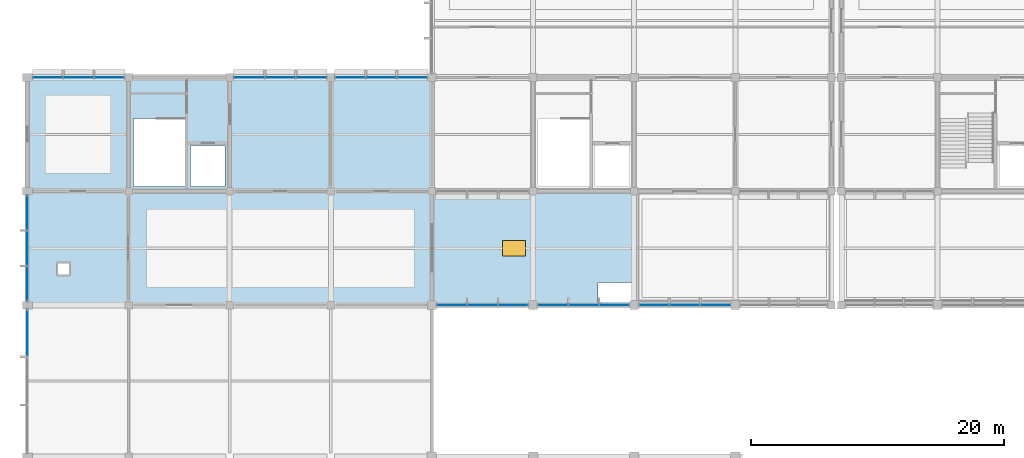
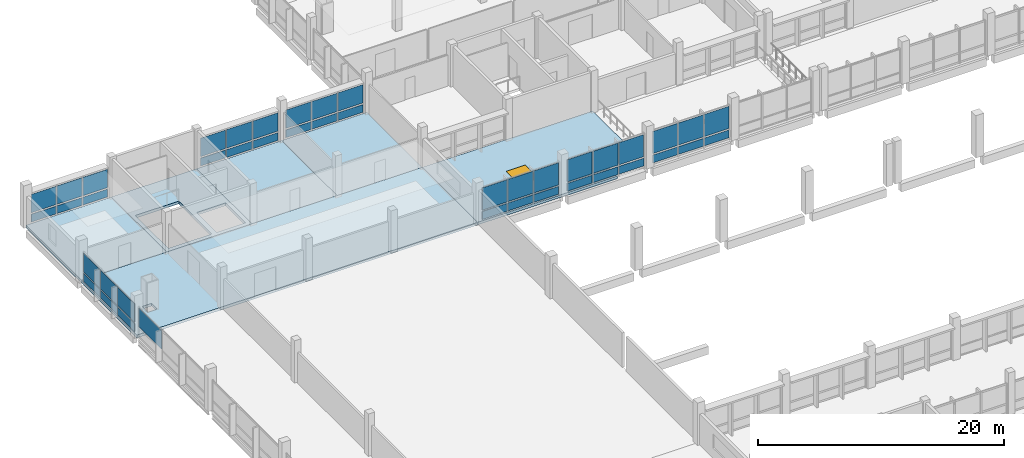
# One storey, part 47 of 70: 43 plates, 6 slabs, 1 window, 1 opening, 8 elements without a shape of their own.
"""IFC4 building model written with IfcOpenShell, lengths in metres."""

from ifc_helpers import new_model, si_unit, direction, frame, origin, origin_2d, place, context, subcontext, project, spatial, polyline, rectangle, outline, extrude, material, layer, layer_set, type_object, element, fill, aggregate, save


model = new_model("IFC4")

# Units and contexts
model_context = context("Model", 3, precision=1e-05, world=origin(), true_north=direction((0.0, 1.0)))
body_context = subcontext(model_context, "Body", "Model", "MODEL_VIEW")
ifc_project = project(units=[si_unit("LENGTHUNIT", "METRE"), si_unit("AREAUNIT", "SQUARE_METRE"), si_unit("VOLUMEUNIT", "CUBIC_METRE"), si_unit("PLANEANGLEUNIT", "RADIAN"), si_unit("MASSUNIT", "GRAM", prefix="KILO"), si_unit("THERMODYNAMICTEMPERATUREUNIT", "KELVIN"), si_unit("POWERUNIT", "WATT")], contexts=[model_context])

# Site, building, storey
site_placement = place(None, origin())
site = spatial("IfcSite", under=ifc_project, at=site_placement, CompositionType="ELEMENT")
building_placement = place(site_placement, origin())
building = spatial("IfcBuilding", under=site, at=building_placement, Name="Kronsvod Quay Wholesale Market", CompositionType="ELEMENT")
storey_placement = place(building_placement, frame((0.0, 0.0, 9.0)))
storey = spatial("IfcBuildingStorey", under=building, at=storey_placement, Name="L02", CompositionType="ELEMENT", Elevation=9.0)

# Curtain wall, plates
ifc_material_1 = material(Name="Thermally broken aluminium and triple low-E glazing", Category="aluminium")
curtain_wall_type_1 = type_object("IfcCurtainWallType", Name="CW_Clerestory80x32", PredefinedType="NOTDEFINED", material=ifc_material_1)
curtain_wall_1_placement = place(storey_placement, origin())
curtain_wall_1 = element("IfcCurtainWall", 1, at=curtain_wall_1_placement, inside=storey, type_object=curtain_wall_type_1, Name="CWGX-L02-320-900", PredefinedType="NOTDEFINED")
ifc_material_2 = material(Name="Insulated aluminium spandrel panel", Category="aluminium")
ifc_layer_1 = layer(ifc_material_2, 0.048095703125)
ifc_layer_set_1 = layer_set([ifc_layer_1], Name="Insulated aluminium spandrel panel")
plate_type_1 = type_object("IfcPlateType", Name="CWPanel_SP2324x775", PredefinedType="CURTAIN_PANEL", material=ifc_layer_set_1)
plate_1_placement = place(storey_placement, frame((38.41796875, 90.0, 0.150146484375), z_axis=(0.0, 0.0, 1.0), x_axis=(-1.0, 0.0, 0.0)))
plate_1 = element("IfcPlate", 2, at=plate_1_placement, type_object=plate_type_1, Name="CWGX-L02-320-900-PS1", PredefinedType="CURTAIN_PANEL", context=body_context, shape_type="SweptSolid", body=[
    extrude(rectangle(XDim=2.323974609375, YDim=0.048095703125, at=origin_2d()), origin(), (0.0, 0.0, 1.0), 0.77490234375),
])
plate_2_placement = place(storey_placement, frame((33.58203125, 90.0, 0.150146484375), z_axis=(0.0, 0.0, 1.0), x_axis=(-1.0, 0.0, 0.0)))
plate_2 = element("IfcPlate", 3, at=plate_2_placement, type_object=plate_type_1, Name="CWGX-L02-320-900-PS3", PredefinedType="CURTAIN_PANEL", context=body_context, shape_type="SweptSolid", body=[
    extrude(rectangle(XDim=2.323974609375, YDim=0.048095703125, at=origin_2d()), origin(), (0.0, 0.0, 1.0), 0.77490234375),
])

curtain_wall_2_placement = place(storey_placement, origin())
curtain_wall_2 = element("IfcCurtainWall", 4, at=curtain_wall_2_placement, inside=storey, type_object=curtain_wall_type_1, Name="CWGX-L02-400-900", PredefinedType="NOTDEFINED")
plate_3_placement = place(storey_placement, frame((46.41796875, 90.0, 0.150146484375), z_axis=(0.0, 0.0, 1.0), x_axis=(-1.0, 0.0, 0.0)))
plate_3 = element("IfcPlate", 5, at=plate_3_placement, type_object=plate_type_1, Name="CWGX-L02-400-900-PS1", PredefinedType="CURTAIN_PANEL", context=body_context, shape_type="SweptSolid", body=[
    extrude(rectangle(XDim=2.323974609375, YDim=0.048095703125, at=origin_2d()), origin(), (0.0, 0.0, 1.0), 0.77490234375),
])
plate_4_placement = place(storey_placement, frame((41.58203125, 90.0, 0.150146484375), z_axis=(0.0, 0.0, 1.0), x_axis=(-1.0, 0.0, 0.0)))
plate_4 = element("IfcPlate", 6, at=plate_4_placement, type_object=plate_type_1, Name="CWGX-L02-400-900-PS3", PredefinedType="CURTAIN_PANEL", context=body_context, shape_type="SweptSolid", body=[
    extrude(rectangle(XDim=2.323974609375, YDim=0.048095703125, at=origin_2d()), origin(), (0.0, 0.0, 1.0), 0.77490234375),
])

curtain_wall_3_placement = place(storey_placement, origin())
curtain_wall_3 = element("IfcCurtainWall", 7, at=curtain_wall_3_placement, inside=storey, type_object=curtain_wall_type_1, Name="CWGX-L02-480-900", PredefinedType="NOTDEFINED")
plate_5_placement = place(storey_placement, frame((54.41796875, 90.0, 0.150146484375), z_axis=(0.0, 0.0, 1.0), x_axis=(-1.0, 0.0, 0.0)))
plate_5 = element("IfcPlate", 8, at=plate_5_placement, type_object=plate_type_1, Name="CWGX-L02-480-900-PS1", PredefinedType="CURTAIN_PANEL", context=body_context, shape_type="SweptSolid", body=[
    extrude(rectangle(XDim=2.323974609375, YDim=0.048095703125, at=origin_2d()), origin(), (0.0, 0.0, 1.0), 0.77490234375),
])
plate_6_placement = place(storey_placement, frame((49.58203125, 90.0, 0.150146484375), z_axis=(0.0, 0.0, 1.0), x_axis=(-1.0, 0.0, 0.0)))
plate_6 = element("IfcPlate", 9, at=plate_6_placement, type_object=plate_type_1, Name="CWGX-L02-480-900-PS3", PredefinedType="CURTAIN_PANEL", context=body_context, shape_type="SweptSolid", body=[
    extrude(rectangle(XDim=2.323974609375, YDim=0.048095703125, at=origin_2d()), origin(), (0.0, 0.0, 1.0), 0.77490234375),
])

ifc_material_3 = material(Name="Thermally broken aluminium and triple low-E glazing", Category="aluminium")
curtain_wall_type_2 = type_object("IfcCurtainWallType", Name="CW_Forecourt80x33", PredefinedType="NOTDEFINED", material=ifc_material_3)
curtain_wall_4_placement = place(storey_placement, origin())
curtain_wall_4 = element("IfcCurtainWall", 10, at=curtain_wall_4_placement, inside=storey, type_object=curtain_wall_type_2, Name="CWGX-L02-0-1080", PredefinedType="NOTDEFINED")
plate_7_placement = place(storey_placement, frame((6.468017578125, 108.0, 0.150146484375), z_axis=(0.0, 0.0, 1.0), x_axis=(-1.0, 0.0, 0.0)))
plate_7 = element("IfcPlate", 11, at=plate_7_placement, type_object=plate_type_1, Name="CWGX-L02-0-1080-PS1", PredefinedType="CURTAIN_PANEL", context=body_context, shape_type="SweptSolid", body=[
    extrude(rectangle(XDim=2.323974609375, YDim=0.048095703125, at=origin_2d()), origin(), (0.0, 0.0, 1.0), 0.77490234375),
])
plate_8_placement = place(storey_placement, frame((1.632080078125, 108.0, 0.150146484375), z_axis=(0.0, 0.0, 1.0), x_axis=(-1.0, 0.0, 0.0)))
plate_8 = element("IfcPlate", 12, at=plate_8_placement, type_object=plate_type_1, Name="CWGX-L02-0-1080-PS3", PredefinedType="CURTAIN_PANEL", context=body_context, shape_type="SweptSolid", body=[
    extrude(rectangle(XDim=2.323974609375, YDim=0.048095703125, at=origin_2d()), origin(), (0.0, 0.0, 1.0), 0.77490234375),
])

curtain_wall_5_placement = place(storey_placement, origin())
curtain_wall_5 = element("IfcCurtainWall", 13, at=curtain_wall_5_placement, inside=storey, type_object=curtain_wall_type_2, Name="CWGX-L02-240-1080", PredefinedType="NOTDEFINED")
ifc_material_4 = material(Name="Insulated aluminium spandrel panel", Category="aluminium")
ifc_layer_2 = layer(ifc_material_4, 0.048095703125)
ifc_layer_set_2 = layer_set([ifc_layer_2], Name="Insulated aluminium spandrel panel")
plate_type_2 = type_object("IfcPlateType", Name="CWPanel_SP2349x775", PredefinedType="CURTAIN_PANEL", material=ifc_layer_set_2)
plate_9_placement = place(storey_placement, frame((30.430419921875, 108.0, 0.150146484375), z_axis=(0.0, 0.0, 1.0), x_axis=(-1.0, 0.0, 0.0)))
plate_9 = element("IfcPlate", 14, at=plate_9_placement, type_object=plate_type_2, Name="CWGX-L02-240-1080-PS1", PredefinedType="CURTAIN_PANEL", context=body_context, shape_type="SweptSolid", body=[
    extrude(rectangle(XDim=2.34912109375, YDim=0.048095703125, at=origin_2d()), origin(), (0.0, 0.0, 1.0), 0.77490234375),
])
plate_10_placement = place(storey_placement, frame((25.544677734375, 108.0, 0.150146484375), z_axis=(0.0, 0.0, 1.0), x_axis=(-1.0, 0.0, 0.0)))
plate_10 = element("IfcPlate", 15, at=plate_10_placement, type_object=plate_type_2, Name="CWGX-L02-240-1080-PS3", PredefinedType="CURTAIN_PANEL", context=body_context, shape_type="SweptSolid", body=[
    extrude(rectangle(XDim=2.34912109375, YDim=0.048095703125, at=origin_2d()), origin(), (0.0, 0.0, 1.0), 0.77490234375),
])

curtain_wall_6_placement = place(storey_placement, origin())
curtain_wall_6 = element("IfcCurtainWall", 16, at=curtain_wall_6_placement, inside=storey, type_object=curtain_wall_type_2, Name="CWGX-L02-160-1080", PredefinedType="NOTDEFINED")
ifc_material_5 = material(Name="Insulated aluminium spandrel panel", Category="aluminium")
ifc_layer_3 = layer(ifc_material_5, 0.048095703125)
ifc_layer_set_3 = layer_set([ifc_layer_3], Name="Insulated aluminium spandrel panel")
plate_type_3 = type_object("IfcPlateType", Name="CWPanel_SP2357x775", PredefinedType="CURTAIN_PANEL", material=ifc_layer_set_3)
plate_11_placement = place(storey_placement, frame((22.451171875, 108.0, 0.150146484375), z_axis=(0.0, 0.0, 1.0), x_axis=(-1.0, 0.0, 0.0)))
plate_11 = element("IfcPlate", 17, at=plate_11_placement, type_object=plate_type_3, Name="CWGX-L02-160-1080-PS1", PredefinedType="CURTAIN_PANEL", context=body_context, shape_type="SweptSolid", body=[
    extrude(rectangle(XDim=2.35693359375, YDim=0.048095703125, at=origin_2d()), origin(), (0.0, 0.0, 1.0), 0.77490234375),
])
ifc_material_6 = material(Name="Insulated aluminium spandrel panel", Category="aluminium")
ifc_layer_4 = layer(ifc_material_6, 0.048095703125)
ifc_layer_set_4 = layer_set([ifc_layer_4], Name="Insulated aluminium spandrel panel")
plate_type_4 = type_object("IfcPlateType", Name="CWPanel_SP2358x775", PredefinedType="CURTAIN_PANEL", material=ifc_layer_set_4)
plate_12_placement = place(storey_placement, frame((17.548828125, 108.0, 0.150146484375), z_axis=(0.0, 0.0, 1.0), x_axis=(-1.0, 0.0, 0.0)))
plate_12 = element("IfcPlate", 18, at=plate_12_placement, type_object=plate_type_4, Name="CWGX-L02-160-1080-PS3", PredefinedType="CURTAIN_PANEL", context=body_context, shape_type="SweptSolid", body=[
    extrude(rectangle(XDim=2.35791015625, YDim=0.048095703125, at=origin_2d()), origin(), (0.0, 0.0, 1.0), 0.77490234375),
])

# Plate
ifc_material_7 = material(Name="Insulated aluminium spandrel panel", Category="aluminium")
ifc_layer_5 = layer(ifc_material_7, 0.048095703125)
ifc_layer_set_5 = layer_set([ifc_layer_5], Name="Insulated aluminium spandrel panel")
plate_type_5 = type_object("IfcPlateType", Name="CWPanel_SP2362x775", PredefinedType="CURTAIN_PANEL", material=ifc_layer_set_5)
plate_13_placement = place(storey_placement, frame((36.0, 90.0, 0.150146484375), z_axis=(0.0, 0.0, 1.0), x_axis=(-1.0, 0.0, 0.0)))
plate_13 = element("IfcPlate", 19, at=plate_13_placement, type_object=plate_type_5, Name="CWGX-L02-320-900-PS2", PredefinedType="CURTAIN_PANEL", context=body_context, shape_type="SweptSolid", body=[
    extrude(rectangle(XDim=2.362060546875, YDim=0.048095703125, at=origin_2d()), origin(), (0.0, 0.0, 1.0), 0.77490234375),
])

plate_14_placement = place(storey_placement, frame((44.0, 90.0, 0.150146484375), z_axis=(0.0, 0.0, 1.0), x_axis=(-1.0, 0.0, 0.0)))
plate_14 = element("IfcPlate", 20, at=plate_14_placement, type_object=plate_type_5, Name="CWGX-L02-400-900-PS2", PredefinedType="CURTAIN_PANEL", context=body_context, shape_type="SweptSolid", body=[
    extrude(rectangle(XDim=2.362060546875, YDim=0.048095703125, at=origin_2d()), origin(), (0.0, 0.0, 1.0), 0.77490234375),
])

plate_15_placement = place(storey_placement, frame((52.0, 90.0, 0.150146484375), z_axis=(0.0, 0.0, 1.0), x_axis=(-1.0, 0.0, 0.0)))
plate_15 = element("IfcPlate", 21, at=plate_15_placement, type_object=plate_type_5, Name="CWGX-L02-480-900-PS2", PredefinedType="CURTAIN_PANEL", context=body_context, shape_type="SweptSolid", body=[
    extrude(rectangle(XDim=2.362060546875, YDim=0.048095703125, at=origin_2d()), origin(), (0.0, 0.0, 1.0), 0.77490234375),
])

plate_16_placement = place(storey_placement, frame((4.050048828125, 108.0, 0.150146484375), z_axis=(0.0, 0.0, 1.0), x_axis=(-1.0, 0.0, 0.0)))
plate_16 = element("IfcPlate", 22, at=plate_16_placement, type_object=plate_type_5, Name="CWGX-L02-0-1080-PS2", PredefinedType="CURTAIN_PANEL", context=body_context, shape_type="SweptSolid", body=[
    extrude(rectangle(XDim=2.362060546875, YDim=0.048095703125, at=origin_2d()), origin(), (0.0, 0.0, 1.0), 0.77490234375),
])

ifc_material_8 = material(Name="Insulated aluminium spandrel panel", Category="aluminium")
ifc_layer_6 = layer(ifc_material_8, 0.048095703125)
ifc_layer_set_6 = layer_set([ifc_layer_6], Name="Insulated aluminium spandrel panel")
plate_type_6 = type_object("IfcPlateType", Name="CWPanel_SP2387x775", PredefinedType="CURTAIN_PANEL", material=ifc_layer_set_6)
plate_17_placement = place(storey_placement, frame((27.987548828125, 108.0, 0.150146484375), z_axis=(0.0, 0.0, 1.0), x_axis=(-1.0, 0.0, 0.0)))
plate_17 = element("IfcPlate", 23, at=plate_17_placement, type_object=plate_type_6, Name="CWGX-L02-240-1080-PS2", PredefinedType="CURTAIN_PANEL", context=body_context, shape_type="SweptSolid", body=[
    extrude(rectangle(XDim=2.386962890625, YDim=0.048095703125, at=origin_2d()), origin(), (0.0, 0.0, 1.0), 0.77490234375),
])

ifc_material_9 = material(Name="Insulated aluminium spandrel panel", Category="aluminium")
ifc_layer_7 = layer(ifc_material_9, 0.048095703125)
ifc_layer_set_7 = layer_set([ifc_layer_7], Name="Insulated aluminium spandrel panel")
plate_type_7 = type_object("IfcPlateType", Name="CWPanel_SP2395x775", PredefinedType="CURTAIN_PANEL", material=ifc_layer_set_7)
plate_18_placement = place(storey_placement, frame((20.0, 108.0, 0.150146484375), z_axis=(0.0, 0.0, 1.0), x_axis=(-1.0, 0.0, 0.0)))
plate_18 = element("IfcPlate", 24, at=plate_18_placement, type_object=plate_type_7, Name="CWGX-L02-160-1080-PS2", PredefinedType="CURTAIN_PANEL", context=body_context, shape_type="SweptSolid", body=[
    extrude(rectangle(XDim=2.39501953125, YDim=0.048095703125, at=origin_2d()), origin(), (0.0, 0.0, 1.0), 0.77490234375),
])

# Curtain wall, plates
ifc_material_10 = material(Name="Thermally broken aluminium and triple low-E glazing", Category="aluminium")
curtain_wall_type_3 = type_object("IfcCurtainWallType", Name="CW_Wing90x33", PredefinedType="NOTDEFINED", material=ifc_material_10)
curtain_wall_7_placement = place(storey_placement, origin())
curtain_wall_7 = element("IfcCurtainWall", 25, at=curtain_wall_7_placement, inside=storey, type_object=curtain_wall_type_3, Name="CWGY-L02-0-900", PredefinedType="NOTDEFINED")
ifc_material_11 = material(Name="Insulated aluminium spandrel panel", Category="aluminium")
ifc_layer_8 = layer(ifc_material_11, 0.048095703125)
ifc_layer_set_8 = layer_set([ifc_layer_8], Name="Insulated aluminium spandrel panel")
plate_type_8 = type_object("IfcPlateType", Name="CWPanel_SP2691x775", PredefinedType="CURTAIN_PANEL", material=ifc_layer_set_8)
plate_19_placement = place(storey_placement, frame((0.0, 97.28466796875, 0.150146484375), z_axis=(0.0, 0.0, 1.0), x_axis=(0.0, -1.0, 0.0)))
plate_19 = element("IfcPlate", 26, at=plate_19_placement, type_object=plate_type_8, Name="CWGY-L02-0-900-PS1", PredefinedType="CURTAIN_PANEL", context=body_context, shape_type="SweptSolid", body=[
    extrude(rectangle(XDim=2.69091796875, YDim=0.048095703125, at=origin_2d()), origin(), (0.0, 0.0, 1.0), 0.77490234375),
])
plate_20_placement = place(storey_placement, frame((0.0, 91.71533203125, 0.150146484375), z_axis=(0.0, 0.0, 1.0), x_axis=(0.0, -1.0, 0.0)))
plate_20 = element("IfcPlate", 27, at=plate_20_placement, type_object=plate_type_8, Name="CWGY-L02-0-900-PS3", PredefinedType="CURTAIN_PANEL", context=body_context, shape_type="SweptSolid", body=[
    extrude(rectangle(XDim=2.69091796875, YDim=0.048095703125, at=origin_2d()), origin(), (0.0, 0.0, 1.0), 0.77490234375),
])
ifc_material_12 = material(Name="Insulated aluminium spandrel panel", Category="aluminium")
ifc_layer_9 = layer(ifc_material_12, 0.048095703125)
ifc_layer_set_9 = layer_set([ifc_layer_9], Name="Insulated aluminium spandrel panel")
plate_type_9 = type_object("IfcPlateType", Name="CWPanel_SP2728x775", PredefinedType="CURTAIN_PANEL", material=ifc_layer_set_9)
plate_21_placement = place(storey_placement, frame((0.0, 94.5, 0.150146484375), z_axis=(0.0, 0.0, 1.0), x_axis=(0.0, -1.0, 0.0)))
plate_21 = element("IfcPlate", 28, at=plate_21_placement, type_object=plate_type_9, Name="CWGY-L02-0-900-PS2", PredefinedType="CURTAIN_PANEL", context=body_context, shape_type="SweptSolid", body=[
    extrude(rectangle(XDim=2.72802734375, YDim=0.048095703125, at=origin_2d()), origin(), (0.0, 0.0, 1.0), 0.77490234375),
])

# Plate
ifc_material_13 = material(Name="Triple low-E insulated glazing", Category="glass")
ifc_layer_10 = layer(ifc_material_13, 0.0439453125)
ifc_layer_set_10 = layer_set([ifc_layer_10], Name="Triple low-E insulated glazing")
plate_type_10 = type_object("IfcPlateType", Name="CWPanel_VS2324x1825", PredefinedType="CURTAIN_PANEL", material=ifc_layer_set_10)
plate_22_placement = place(storey_placement, frame((6.468017578125, 108.0, 1.0751953125), z_axis=(0.0, 0.0, 1.0), x_axis=(-1.0, 0.0, 0.0)))
plate_22 = element("IfcPlate", 29, at=plate_22_placement, type_object=plate_type_10, Name="CWGX-L02-0-1080-PV1", PredefinedType="CURTAIN_PANEL", context=body_context, shape_type="SweptSolid", body=[
    extrude(rectangle(XDim=2.323974609375, YDim=0.0439453125, at=origin_2d()), origin(), (0.0, 0.0, 1.0), 1.824951171875),
])

plate_23_placement = place(storey_placement, frame((1.632080078125, 108.0, 1.0751953125), z_axis=(0.0, 0.0, 1.0), x_axis=(-1.0, 0.0, 0.0)))
plate_23 = element("IfcPlate", 30, at=plate_23_placement, type_object=plate_type_10, Name="CWGX-L02-0-1080-PV3", PredefinedType="CURTAIN_PANEL", context=body_context, shape_type="SweptSolid", body=[
    extrude(rectangle(XDim=2.323974609375, YDim=0.0439453125, at=origin_2d()), origin(), (0.0, 0.0, 1.0), 1.824951171875),
])

ifc_material_14 = material(Name="Triple low-E insulated glazing", Category="glass")
ifc_layer_11 = layer(ifc_material_14, 0.0439453125)
ifc_layer_set_11 = layer_set([ifc_layer_11], Name="Triple low-E insulated glazing")
plate_type_11 = type_object("IfcPlateType", Name="CWPanel_VS2324x2195", PredefinedType="CURTAIN_PANEL", material=ifc_layer_set_11)
plate_24_placement = place(storey_placement, frame((38.41796875, 90.0, 1.0751953125), z_axis=(0.0, 0.0, 1.0), x_axis=(-1.0, 0.0, 0.0)))
plate_24 = element("IfcPlate", 31, at=plate_24_placement, type_object=plate_type_11, Name="CWGX-L02-320-900-PV1", PredefinedType="CURTAIN_PANEL", context=body_context, shape_type="SweptSolid", body=[
    extrude(rectangle(XDim=2.323974609375, YDim=0.0439453125, at=origin_2d()), origin(), (0.0, 0.0, 1.0), 2.195068359375),
])

plate_25_placement = place(storey_placement, frame((33.58203125, 90.0, 1.0751953125), z_axis=(0.0, 0.0, 1.0), x_axis=(-1.0, 0.0, 0.0)))
plate_25 = element("IfcPlate", 32, at=plate_25_placement, type_object=plate_type_11, Name="CWGX-L02-320-900-PV3", PredefinedType="CURTAIN_PANEL", context=body_context, shape_type="SweptSolid", body=[
    extrude(rectangle(XDim=2.323974609375, YDim=0.0439453125, at=origin_2d()), origin(), (0.0, 0.0, 1.0), 2.195068359375),
])

plate_26_placement = place(storey_placement, frame((46.41796875, 90.0, 1.0751953125), z_axis=(0.0, 0.0, 1.0), x_axis=(-1.0, 0.0, 0.0)))
plate_26 = element("IfcPlate", 33, at=plate_26_placement, type_object=plate_type_11, Name="CWGX-L02-400-900-PV1", PredefinedType="CURTAIN_PANEL", context=body_context, shape_type="SweptSolid", body=[
    extrude(rectangle(XDim=2.323974609375, YDim=0.0439453125, at=origin_2d()), origin(), (0.0, 0.0, 1.0), 2.195068359375),
])

plate_27_placement = place(storey_placement, frame((41.58203125, 90.0, 1.0751953125), z_axis=(0.0, 0.0, 1.0), x_axis=(-1.0, 0.0, 0.0)))
plate_27 = element("IfcPlate", 34, at=plate_27_placement, type_object=plate_type_11, Name="CWGX-L02-400-900-PV3", PredefinedType="CURTAIN_PANEL", context=body_context, shape_type="SweptSolid", body=[
    extrude(rectangle(XDim=2.323974609375, YDim=0.0439453125, at=origin_2d()), origin(), (0.0, 0.0, 1.0), 2.195068359375),
])

plate_28_placement = place(storey_placement, frame((54.41796875, 90.0, 1.0751953125), z_axis=(0.0, 0.0, 1.0), x_axis=(-1.0, 0.0, 0.0)))
plate_28 = element("IfcPlate", 35, at=plate_28_placement, type_object=plate_type_11, Name="CWGX-L02-480-900-PV1", PredefinedType="CURTAIN_PANEL", context=body_context, shape_type="SweptSolid", body=[
    extrude(rectangle(XDim=2.323974609375, YDim=0.0439453125, at=origin_2d()), origin(), (0.0, 0.0, 1.0), 2.195068359375),
])

plate_29_placement = place(storey_placement, frame((49.58203125, 90.0, 1.0751953125), z_axis=(0.0, 0.0, 1.0), x_axis=(-1.0, 0.0, 0.0)))
plate_29 = element("IfcPlate", 36, at=plate_29_placement, type_object=plate_type_11, Name="CWGX-L02-480-900-PV3", PredefinedType="CURTAIN_PANEL", context=body_context, shape_type="SweptSolid", body=[
    extrude(rectangle(XDim=2.323974609375, YDim=0.0439453125, at=origin_2d()), origin(), (0.0, 0.0, 1.0), 2.195068359375),
])

ifc_material_15 = material(Name="Triple low-E insulated glazing", Category="glass")
ifc_layer_12 = layer(ifc_material_15, 0.0439453125)
ifc_layer_set_12 = layer_set([ifc_layer_12], Name="Triple low-E insulated glazing")
plate_type_12 = type_object("IfcPlateType", Name="CWPanel_VS2349x1825", PredefinedType="CURTAIN_PANEL", material=ifc_layer_set_12)
plate_30_placement = place(storey_placement, frame((30.430419921875, 108.0, 1.0751953125), z_axis=(0.0, 0.0, 1.0), x_axis=(-1.0, 0.0, 0.0)))
plate_30 = element("IfcPlate", 37, at=plate_30_placement, type_object=plate_type_12, Name="CWGX-L02-240-1080-PV1", PredefinedType="CURTAIN_PANEL", context=body_context, shape_type="SweptSolid", body=[
    extrude(rectangle(XDim=2.34912109375, YDim=0.0439453125, at=origin_2d()), origin(), (0.0, 0.0, 1.0), 1.824951171875),
])

plate_31_placement = place(storey_placement, frame((25.544677734375, 108.0, 1.0751953125), z_axis=(0.0, 0.0, 1.0), x_axis=(-1.0, 0.0, 0.0)))
plate_31 = element("IfcPlate", 38, at=plate_31_placement, type_object=plate_type_12, Name="CWGX-L02-240-1080-PV3", PredefinedType="CURTAIN_PANEL", context=body_context, shape_type="SweptSolid", body=[
    extrude(rectangle(XDim=2.34912109375, YDim=0.0439453125, at=origin_2d()), origin(), (0.0, 0.0, 1.0), 1.824951171875),
])

ifc_material_16 = material(Name="Triple low-E insulated glazing", Category="glass")
ifc_layer_13 = layer(ifc_material_16, 0.0439453125)
ifc_layer_set_13 = layer_set([ifc_layer_13], Name="Triple low-E insulated glazing")
plate_type_13 = type_object("IfcPlateType", Name="CWPanel_VS2357x1825", PredefinedType="CURTAIN_PANEL", material=ifc_layer_set_13)
plate_32_placement = place(storey_placement, frame((22.451171875, 108.0, 1.0751953125), z_axis=(0.0, 0.0, 1.0), x_axis=(-1.0, 0.0, 0.0)))
plate_32 = element("IfcPlate", 39, at=plate_32_placement, type_object=plate_type_13, Name="CWGX-L02-160-1080-PV1", PredefinedType="CURTAIN_PANEL", context=body_context, shape_type="SweptSolid", body=[
    extrude(rectangle(XDim=2.35693359375, YDim=0.0439453125, at=origin_2d()), origin(), (0.0, 0.0, 1.0), 1.824951171875),
])

ifc_material_17 = material(Name="Triple low-E insulated glazing", Category="glass")
ifc_layer_14 = layer(ifc_material_17, 0.0439453125)
ifc_layer_set_14 = layer_set([ifc_layer_14], Name="Triple low-E insulated glazing")
plate_type_14 = type_object("IfcPlateType", Name="CWPanel_VS2358x1825", PredefinedType="CURTAIN_PANEL", material=ifc_layer_set_14)
plate_33_placement = place(storey_placement, frame((17.548828125, 108.0, 1.0751953125), z_axis=(0.0, 0.0, 1.0), x_axis=(-1.0, 0.0, 0.0)))
plate_33 = element("IfcPlate", 40, at=plate_33_placement, type_object=plate_type_14, Name="CWGX-L02-160-1080-PV3", PredefinedType="CURTAIN_PANEL", context=body_context, shape_type="SweptSolid", body=[
    extrude(rectangle(XDim=2.35791015625, YDim=0.0439453125, at=origin_2d()), origin(), (0.0, 0.0, 1.0), 1.824951171875),
])

ifc_material_18 = material(Name="Triple low-E insulated glazing", Category="glass")
ifc_layer_15 = layer(ifc_material_18, 0.0439453125)
ifc_layer_set_15 = layer_set([ifc_layer_15], Name="Triple low-E insulated glazing")
plate_type_15 = type_object("IfcPlateType", Name="CWPanel_VS2362x1825", PredefinedType="CURTAIN_PANEL", material=ifc_layer_set_15)
plate_34_placement = place(storey_placement, frame((4.050048828125, 108.0, 1.0751953125), z_axis=(0.0, 0.0, 1.0), x_axis=(-1.0, 0.0, 0.0)))
plate_34 = element("IfcPlate", 41, at=plate_34_placement, type_object=plate_type_15, Name="CWGX-L02-0-1080-PV2", PredefinedType="CURTAIN_PANEL", context=body_context, shape_type="SweptSolid", body=[
    extrude(rectangle(XDim=2.362060546875, YDim=0.0439453125, at=origin_2d()), origin(), (0.0, 0.0, 1.0), 1.824951171875),
])

aggregate(curtain_wall_4, [plate_7, plate_22, plate_16, plate_34, plate_8, plate_23])

ifc_material_19 = material(Name="Triple low-E insulated glazing", Category="glass")
ifc_layer_16 = layer(ifc_material_19, 0.0439453125)
ifc_layer_set_16 = layer_set([ifc_layer_16], Name="Triple low-E insulated glazing")
plate_type_16 = type_object("IfcPlateType", Name="CWPanel_VS2362x2195", PredefinedType="CURTAIN_PANEL", material=ifc_layer_set_16)
plate_35_placement = place(storey_placement, frame((36.0, 90.0, 1.0751953125), z_axis=(0.0, 0.0, 1.0), x_axis=(-1.0, 0.0, 0.0)))
plate_35 = element("IfcPlate", 42, at=plate_35_placement, type_object=plate_type_16, Name="CWGX-L02-320-900-PV2", PredefinedType="CURTAIN_PANEL", context=body_context, shape_type="SweptSolid", body=[
    extrude(rectangle(XDim=2.362060546875, YDim=0.0439453125, at=origin_2d()), origin(), (0.0, 0.0, 1.0), 2.195068359375),
])

aggregate(curtain_wall_1, [plate_1, plate_24, plate_13, plate_35, plate_2, plate_25])

plate_36_placement = place(storey_placement, frame((44.0, 90.0, 1.0751953125), z_axis=(0.0, 0.0, 1.0), x_axis=(-1.0, 0.0, 0.0)))
plate_36 = element("IfcPlate", 43, at=plate_36_placement, type_object=plate_type_16, Name="CWGX-L02-400-900-PV2", PredefinedType="CURTAIN_PANEL", context=body_context, shape_type="SweptSolid", body=[
    extrude(rectangle(XDim=2.362060546875, YDim=0.0439453125, at=origin_2d()), origin(), (0.0, 0.0, 1.0), 2.195068359375),
])

aggregate(curtain_wall_2, [plate_3, plate_26, plate_14, plate_36, plate_4, plate_27])

plate_37_placement = place(storey_placement, frame((52.0, 90.0, 1.0751953125), z_axis=(0.0, 0.0, 1.0), x_axis=(-1.0, 0.0, 0.0)))
plate_37 = element("IfcPlate", 44, at=plate_37_placement, type_object=plate_type_16, Name="CWGX-L02-480-900-PV2", PredefinedType="CURTAIN_PANEL", context=body_context, shape_type="SweptSolid", body=[
    extrude(rectangle(XDim=2.362060546875, YDim=0.0439453125, at=origin_2d()), origin(), (0.0, 0.0, 1.0), 2.195068359375),
])

aggregate(curtain_wall_3, [plate_5, plate_28, plate_15, plate_37, plate_6, plate_29])

ifc_material_20 = material(Name="Triple low-E insulated glazing", Category="glass")
ifc_layer_17 = layer(ifc_material_20, 0.0439453125)
ifc_layer_set_17 = layer_set([ifc_layer_17], Name="Triple low-E insulated glazing")
plate_type_17 = type_object("IfcPlateType", Name="CWPanel_VS2387x1825", PredefinedType="CURTAIN_PANEL", material=ifc_layer_set_17)
plate_38_placement = place(storey_placement, frame((27.987548828125, 108.0, 1.0751953125), z_axis=(0.0, 0.0, 1.0), x_axis=(-1.0, 0.0, 0.0)))
plate_38 = element("IfcPlate", 45, at=plate_38_placement, type_object=plate_type_17, Name="CWGX-L02-240-1080-PV2", PredefinedType="CURTAIN_PANEL", context=body_context, shape_type="SweptSolid", body=[
    extrude(rectangle(XDim=2.386962890625, YDim=0.0439453125, at=origin_2d()), origin(), (0.0, 0.0, 1.0), 1.824951171875),
])

aggregate(curtain_wall_5, [plate_9, plate_30, plate_17, plate_38, plate_10, plate_31])

ifc_material_21 = material(Name="Triple low-E insulated glazing", Category="glass")
ifc_layer_18 = layer(ifc_material_21, 0.0439453125)
ifc_layer_set_18 = layer_set([ifc_layer_18], Name="Triple low-E insulated glazing")
plate_type_18 = type_object("IfcPlateType", Name="CWPanel_VS2395x1825", PredefinedType="CURTAIN_PANEL", material=ifc_layer_set_18)
plate_39_placement = place(storey_placement, frame((20.0, 108.0, 1.0751953125), z_axis=(0.0, 0.0, 1.0), x_axis=(-1.0, 0.0, 0.0)))
plate_39 = element("IfcPlate", 46, at=plate_39_placement, type_object=plate_type_18, Name="CWGX-L02-160-1080-PV2", PredefinedType="CURTAIN_PANEL", context=body_context, shape_type="SweptSolid", body=[
    extrude(rectangle(XDim=2.39501953125, YDim=0.0439453125, at=origin_2d()), origin(), (0.0, 0.0, 1.0), 1.824951171875),
])

aggregate(curtain_wall_6, [plate_11, plate_32, plate_18, plate_39, plate_12, plate_33])

ifc_material_22 = material(Name="Triple low-E insulated glazing", Category="glass")
ifc_layer_19 = layer(ifc_material_22, 0.0439453125)
ifc_layer_set_19 = layer_set([ifc_layer_19], Name="Triple low-E insulated glazing")
plate_type_19 = type_object("IfcPlateType", Name="CWPanel_VS2691x1825", PredefinedType="CURTAIN_PANEL", material=ifc_layer_set_19)
plate_40_placement = place(storey_placement, frame((0.0, 97.28466796875, 1.0751953125), z_axis=(0.0, 0.0, 1.0), x_axis=(0.0, -1.0, 0.0)))
plate_40 = element("IfcPlate", 47, at=plate_40_placement, type_object=plate_type_19, Name="CWGY-L02-0-900-PV1", PredefinedType="CURTAIN_PANEL", context=body_context, shape_type="SweptSolid", body=[
    extrude(rectangle(XDim=2.69091796875, YDim=0.0439453125, at=origin_2d()), origin(), (0.0, 0.0, 1.0), 1.824951171875),
])

plate_41_placement = place(storey_placement, frame((0.0, 91.71533203125, 1.0751953125), z_axis=(0.0, 0.0, 1.0), x_axis=(0.0, -1.0, 0.0)))
plate_41 = element("IfcPlate", 48, at=plate_41_placement, type_object=plate_type_19, Name="CWGY-L02-0-900-PV3", PredefinedType="CURTAIN_PANEL", context=body_context, shape_type="SweptSolid", body=[
    extrude(rectangle(XDim=2.69091796875, YDim=0.0439453125, at=origin_2d()), origin(), (0.0, 0.0, 1.0), 1.824951171875),
])

ifc_material_23 = material(Name="Triple low-E insulated glazing", Category="glass")
ifc_layer_20 = layer(ifc_material_23, 0.0439453125)
ifc_layer_set_20 = layer_set([ifc_layer_20], Name="Triple low-E insulated glazing")
plate_type_20 = type_object("IfcPlateType", Name="CWPanel_VS2728x1825", PredefinedType="CURTAIN_PANEL", material=ifc_layer_set_20)
plate_42_placement = place(storey_placement, frame((0.0, 94.5, 1.0751953125), z_axis=(0.0, 0.0, 1.0), x_axis=(0.0, -1.0, 0.0)))
plate_42 = element("IfcPlate", 49, at=plate_42_placement, type_object=plate_type_20, Name="CWGY-L02-0-900-PV2", PredefinedType="CURTAIN_PANEL", context=body_context, shape_type="SweptSolid", body=[
    extrude(rectangle(XDim=2.72802734375, YDim=0.0439453125, at=origin_2d()), origin(), (0.0, 0.0, 1.0), 1.824951171875),
])

aggregate(curtain_wall_7, [plate_19, plate_40, plate_21, plate_42, plate_20, plate_41])

# Curtain wall, plate
ifc_material_24 = material(Name="Thermally broken aluminium and triple low-E glazing", Category="aluminium")
curtain_wall_type_4 = type_object("IfcCurtainWallType", Name="CW_WestLab90x37", PredefinedType="NOTDEFINED", material=ifc_material_24)
curtain_wall_8_placement = place(storey_placement, origin())
curtain_wall_8 = element("IfcCurtainWall", 50, at=curtain_wall_8_placement, inside=storey, type_object=curtain_wall_type_4, Name="CWGY-L02-0-780", PredefinedType="NOTDEFINED")
ifc_material_25 = material(Name="Triple low-E insulated glazing", Category="glass")
ifc_layer_21 = layer(ifc_material_25, 0.0439453125)
ifc_layer_set_21 = layer_set([ifc_layer_21], Name="Triple low-E insulated glazing")
plate_type_21 = type_object("IfcPlateType", Name="CWPanel_VS3691x1825", PredefinedType="CURTAIN_PANEL", material=ifc_layer_set_21)
plate_43_placement = place(storey_placement, frame((0.0, 87.78466796875, 1.0751953125), z_axis=(0.0, 0.0, 1.0), x_axis=(0.0, -1.0, 0.0)))
plate_43 = element("IfcPlate", 51, at=plate_43_placement, type_object=plate_type_21, Name="CWGY-L02-0-780-PV1", PredefinedType="CURTAIN_PANEL", context=body_context, shape_type="SweptSolid", body=[
    extrude(rectangle(XDim=3.69091796875, YDim=0.0439453125, at=origin_2d()), origin(), (0.0, 0.0, 1.0), 1.824951171875),
])
aggregate(curtain_wall_8, [plate_43])

# Slab, opening, window
ifc_material_26 = material(Name="Precast concrete C40/50", Category="concrete")
ifc_layer_22 = layer(ifc_material_26, 0.260009765625)
ifc_layer_set_22 = layer_set([ifc_layer_22], Name="Precast concrete C40/50")
slab_type_1 = type_object("IfcSlabType", Name="Slab_FlatRoof260", PredefinedType="ROOF", material=ifc_layer_set_22)
slab_1_placement = place(storey_placement, frame((0.0, 0.0, -0.260009765625)))
slab_1 = element("IfcSlab", 52, at=slab_1_placement, inside=storey, type_object=slab_type_1, Name="SLB-L02-108", PredefinedType="ROOF", context=body_context, shape_type="SweptSolid", body=[
    extrude(outline(polyline([(32.0, 90.0), (45.1201171875, 90.0), (45.1201171875, 91.800048828125), (48.0, 91.800048828125), (48.0, 99.0), (32.0, 99.0), (32.0, 90.0)])), origin(), (0.0, 0.0, 1.0), 0.260009765625),
])
opening_placement = place(slab_1_placement, frame((38.5, 94.5, 0.0)))
opening = element("IfcOpeningElement", 53, at=opening_placement, cuts=slab_1, Name="Opening SKY-02", PredefinedType="OPENING", context=body_context, shape_type="SweptSolid", body=[
    extrude(rectangle(XDim=1.800048828125, YDim=1.199951171875, at=origin_2d()), frame((0.0, 0.0, -0.010009765625)), (0.0, 0.0, 1.0), 0.280029296875),
])
ifc_material_27 = material(Name="Thermally broken aluminium and triple low-E glazing", Category="aluminium")
window_type = type_object("IfcWindowType", Name="Skylight_Hatch180x120", PartitioningType="SINGLE_PANEL", PredefinedType="SKYLIGHT", material=ifc_material_27)
window_placement = place(opening_placement, frame((0.0, 0.0, 0.2099609375)))
window = element("IfcWindow", 54, at=window_placement, inside=storey, type_object=window_type, Name="SKY-02", OverallHeight=1.199951171875, OverallWidth=1.800048828125, PartitioningType="SINGLE_PANEL", PredefinedType="SKYLIGHT", context=body_context, shape_type="SweptSolid", body=[
    extrude(rectangle(XDim=1.800048828125, YDim=1.199951171875, at=origin_2d()), origin(), (0.0, 0.0, 1.0), 0.050048828125),
])
fill(opening, window)

# Slabs
ifc_material_28 = material(Name="Concrete C35/45", Category="concrete")
ifc_layer_23 = layer(ifc_material_28, 0.27001953125)
ifc_layer_set_23 = layer_set([ifc_layer_23], Name="Concrete C35/45")
slab_type_2 = type_object("IfcSlabType", Name="Slab_Floor270", PredefinedType="FLOOR", material=ifc_layer_set_23)
slab_2_placement = place(storey_placement, frame((0.0, 0.0, -0.27001953125)))
element("IfcSlab", 55, at=slab_2_placement, inside=storey, type_object=slab_type_2, Name="SLB-L02-107", PredefinedType="FLOOR", context=body_context, shape_type="SweptSolid", body=[
    extrude(outline(polyline([(0.0, 90.0), (32.0, 90.0), (32.0, 99.0), (0.0, 99.0), (0.0, 90.0)]), holes=[polyline([(2.39990234375, 92.39990234375), (3.300048828125, 92.39990234375), (3.300048828125, 93.300048828125), (2.39990234375, 93.300048828125), (2.39990234375, 92.39990234375)])]), origin(), (0.0, 0.0, 1.0), 0.27001953125),
])
slab_3_placement = place(storey_placement, frame((0.0, 0.0, -0.27001953125)))
element("IfcSlab", 56, at=slab_3_placement, inside=storey, type_object=slab_type_2, Name="SLB-L02-110", PredefinedType="FLOOR", context=body_context, shape_type="SweptSolid", body=[
    extrude(outline(polyline([(0.0, 99.0), (8.0, 99.0), (8.0, 108.0), (0.0, 108.0), (0.0, 99.0)])), origin(), (0.0, 0.0, 1.0), 0.27001953125),
])
slab_4_placement = place(storey_placement, frame((0.0, 0.0, -0.27001953125)))
element("IfcSlab", 57, at=slab_4_placement, inside=storey, type_object=slab_type_2, Name="SLB-L02-111", PredefinedType="FLOOR", context=body_context, shape_type="SweptSolid", body=[
    extrude(outline(polyline([(8.0, 99.0), (16.0, 99.0), (16.0, 108.0), (8.0, 108.0), (8.0, 99.0)]), holes=[polyline([(8.3798828125, 99.3798828125), (12.4599609375, 99.3798828125), (12.4599609375, 104.75), (8.3798828125, 104.75), (8.3798828125, 99.3798828125)]), polyline([(12.89990234375, 99.3798828125), (15.6201171875, 99.3798828125), (15.6201171875, 102.6201171875), (12.89990234375, 102.6201171875), (12.89990234375, 99.3798828125)])]), origin(), (0.0, 0.0, 1.0), 0.27001953125),
])
slab_5_placement = place(storey_placement, frame((0.0, 0.0, -0.27001953125)))
element("IfcSlab", 58, at=slab_5_placement, inside=storey, type_object=slab_type_2, Name="SLB-L02-112", PredefinedType="FLOOR", context=body_context, shape_type="SweptSolid", body=[
    extrude(outline(polyline([(16.0, 99.0), (24.0, 99.0), (24.0, 108.0), (16.0, 108.0), (16.0, 99.0)])), origin(), (0.0, 0.0, 1.0), 0.27001953125),
])
slab_6_placement = place(storey_placement, frame((0.0, 0.0, -0.27001953125)))
element("IfcSlab", 59, at=slab_6_placement, inside=storey, type_object=slab_type_2, Name="SLB-L02-113", PredefinedType="FLOOR", context=body_context, shape_type="SweptSolid", body=[
    extrude(outline(polyline([(24.0, 99.0), (32.0, 99.0), (32.0, 108.0), (24.0, 108.0), (24.0, 99.0)])), origin(), (0.0, 0.0, 1.0), 0.27001953125),
])

save(model, "model.ifc")
